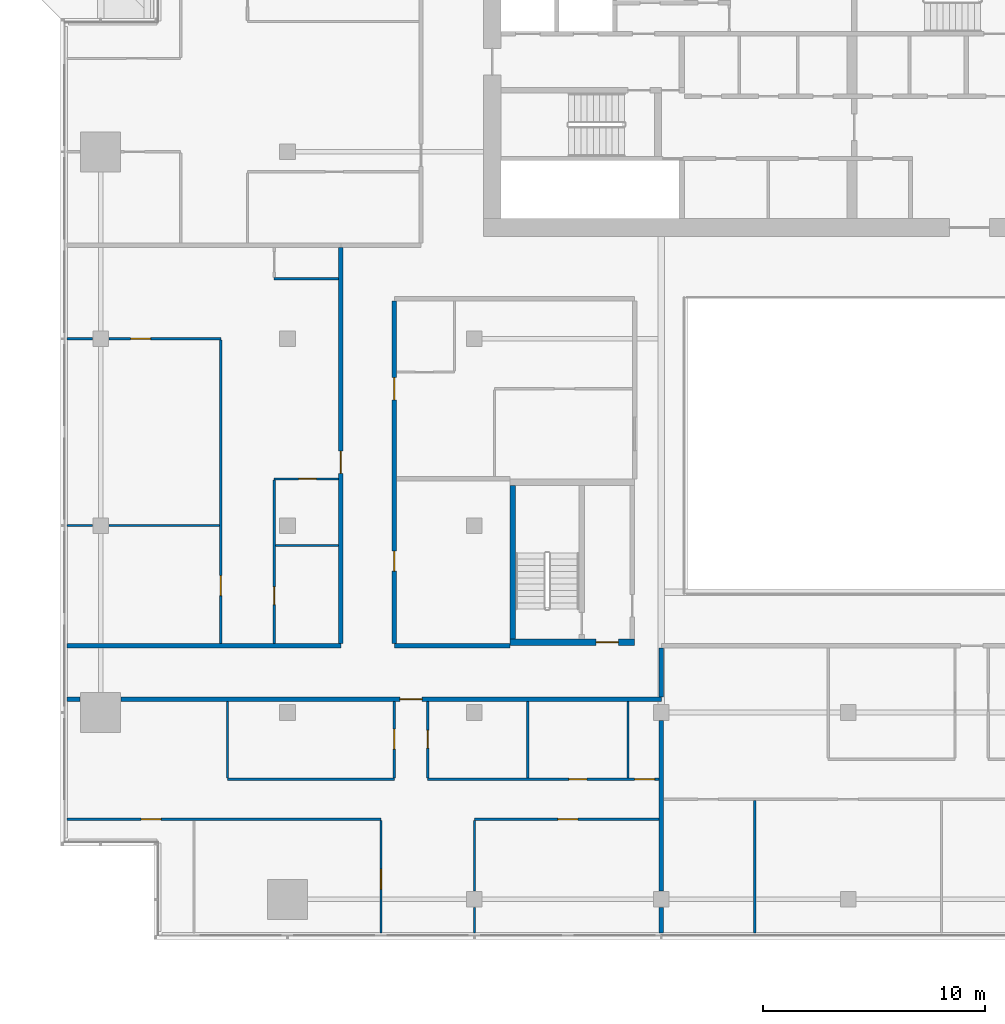
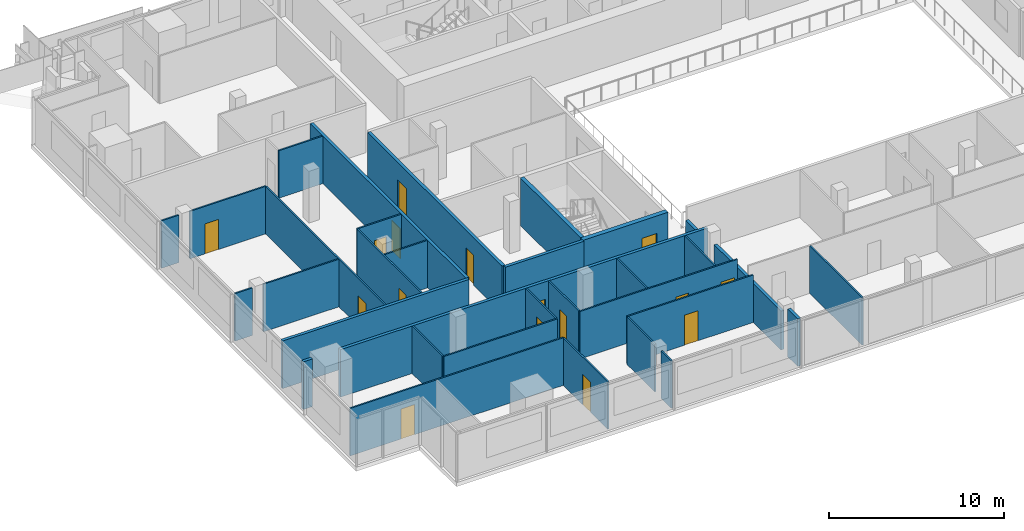
# One storey, part 18 of 30: 33 walls, 16 doors, 16 openings.
"""IFC4 building model written with IfcOpenShell, lengths in metres."""

import ifcopenshell
import ifcopenshell.guid

model = None  # the IFC model being written
_history = None  # IfcOwnerHistory: only IFC2X3 demands one
_inside = {}  # id of a spatial element -> (the spatial element, [elements in it])
_under = {}  # id of a project, library or spatial element -> (it, [spatial elements below it])
_declared = {}  # id of a project -> (the project, [libraries it declares])
_typed = {}  # id of a type object -> (the type object, [elements of that type])
_made_of = {}  # id of a material, layer set ... -> (it, [elements and type objects made of it])


def new_model(schema):
    """Start an empty IFC model of exactly this schema.

    Asked for "IFC4X3", IfcOpenShell would pick the latest addendum, in which some entities
    have other attributes; the version numbers below select the first issue.
    IFC2X3 requires an IfcOwnerHistory on every rooted entity: one is made here for all.
    """
    global model, _history
    if schema == "IFC4X3":
        model = ifcopenshell.file(schema_version=(4, 3, 0, 0))
    else:
        model = ifcopenshell.file(schema=schema)
    _inside.clear()
    _under.clear()
    _declared.clear()
    _typed.clear()
    _made_of.clear()
    _history = None
    if model.schema == "IFC2X3":
        org = make("IfcOrganization", Name="unknown")
        user = make(
            "IfcPersonAndOrganization",
            ThePerson=make("IfcPerson", FamilyName="unknown"),
            TheOrganization=org,
        )
        app = make(
            "IfcApplication",
            ApplicationDeveloper=org,
            Version="unknown",
            ApplicationFullName="unknown",
            ApplicationIdentifier="unknown",
        )
        _history = make(
            "IfcOwnerHistory",
            OwningUser=user,
            OwningApplication=app,
            ChangeAction="ADDED",
            CreationDate=0,
        )
    return model


def make(cls, **values):
    """One entity of the class cls with the attributes given. An attribute that is None is left unset."""
    return model.create_entity(
        cls, **{name: value for name, value in values.items() if value is not None}
    )


def rooted(cls, **values):
    """An entity with a GlobalId (a new one), such as an element, a storey or a relation."""
    return make(cls, GlobalId=ifcopenshell.guid.new(), OwnerHistory=_history, **values)


def si_unit(unit_type, name, prefix=None):
    """IfcSIUnit, for example si_unit("LENGTHUNIT", "METRE", prefix="MILLI")."""
    return make("IfcSIUnit", UnitType=unit_type, Prefix=prefix, Name=name)


def assignment(units):
    """IfcUnitAssignment: the units of a project."""
    return None if units is None else make("IfcUnitAssignment", Units=units)


def point(xyz):
    """IfcCartesianPoint."""
    return None if xyz is None else make("IfcCartesianPoint", Coordinates=xyz)


def direction(xyz):
    """IfcDirection."""
    return None if xyz is None else make("IfcDirection", DirectionRatios=xyz)


def frame(location, z_axis=None, x_axis=None):
    """IfcAxis2Placement3D, a coordinate frame: its origin and axes. An axis left out is left unset."""
    return make(
        "IfcAxis2Placement3D",
        Location=point(location),
        Axis=direction(z_axis),
        RefDirection=direction(x_axis),
    )


def frame_2d(location, x_axis=None):
    """IfcAxis2Placement2D, a coordinate frame in the plane: its origin and x axis."""
    return make(
        "IfcAxis2Placement2D", Location=point(location), RefDirection=direction(x_axis)
    )


def origin():
    """The frame at (0, 0, 0) with its axes left unset."""
    return frame((0.0, 0.0, 0.0))


def place(relative_to, where):
    """IfcLocalPlacement: puts the frame where relative to a parent placement (None: the world)."""
    return make(
        "IfcLocalPlacement", PlacementRelTo=relative_to, RelativePlacement=where
    )


def context(
    kind, dimensions, precision=None, world=None, true_north=None, identifier=None
):
    """IfcGeometricRepresentationContext, for example the 3D "Model" context."""
    return make(
        "IfcGeometricRepresentationContext",
        ContextIdentifier=identifier,
        ContextType=kind,
        CoordinateSpaceDimension=dimensions,
        Precision=precision,
        WorldCoordinateSystem=world,
        TrueNorth=true_north,
    )


def subcontext(parent, identifier, kind, view, scale=None):
    """IfcGeometricRepresentationSubContext, for example "Body" below "Model"."""
    return make(
        "IfcGeometricRepresentationSubContext",
        ContextIdentifier=identifier,
        ContextType=kind,
        ParentContext=parent,
        TargetScale=scale,
        TargetView=view,
    )


def project(units=None, contexts=None):
    """IfcProject with its units and contexts."""
    return rooted(
        "IfcProject",
        Name="project",
        RepresentationContexts=contexts,
        UnitsInContext=assignment(units),
    )


def spatial(cls, under=None, at=None, **own):
    """A site, building, storey or space (cls), placed at a placement, below another one or the project."""
    s = rooted(cls, ObjectPlacement=at, **own)
    if under is not None:
        _under.setdefault(under.id(), (under, []))[1].append(s)
    return s


def profile(cls, at=None, kind="AREA", **sizes):
    """A parametric profile (cls). Its sizes go by their IFC names, for example OverallWidth=200.0."""
    return make(cls, ProfileType=kind, Position=at, **sizes)


def rectangle(**sizes):
    """IfcRectangleProfileDef."""
    return profile("IfcRectangleProfileDef", **sizes)


def extrude(swept, where, along, depth):
    """IfcExtrudedAreaSolid: the profile swept, set in the frame where, extruded along a direction by depth."""
    return make(
        "IfcExtrudedAreaSolid",
        SweptArea=swept,
        Position=where,
        ExtrudedDirection=direction(along),
        Depth=depth,
    )


def shape(context_of_items, identifier, shape_type, items):
    """IfcShapeRepresentation: the items that make up one representation, for example the "Body"."""
    return make(
        "IfcShapeRepresentation",
        ContextOfItems=context_of_items,
        RepresentationIdentifier=identifier,
        RepresentationType=shape_type,
        Items=items,
    )


def material(Name=None, Category=None):
    """IfcMaterial."""
    return make("IfcMaterial", Name=Name, Category=Category)


def layer(
    of_material, thickness, ventilated=None, Name=None, Category=None, Priority=None
):
    """IfcMaterialLayer: one layer of a wall or slab, of a material (None: an air gap)."""
    return make(
        "IfcMaterialLayer",
        Material=of_material,
        LayerThickness=thickness,
        IsVentilated=ventilated,
        Name=Name,
        Category=Category,
        Priority=Priority,
    )


def layer_set(layers, Name=None):
    """IfcMaterialLayerSet."""
    return make("IfcMaterialLayerSet", MaterialLayers=layers, LayerSetName=Name)


def made_of(thing, what):
    """Note that an element or type object is made of a material, layer set ...; save() writes the relation."""
    if what is not None:
        _made_of.setdefault(what.id(), (what, []))[1].append(thing)
    return thing


def type_object(cls, material=None, **own):
    """A type object (cls), such as IfcWallType, which elements share."""
    return made_of(rooted(cls, **own), material)


def element(
    cls,
    number,
    at=None,
    inside=None,
    cuts=None,
    type_object=None,
    material=None,
    context=None,
    identifier="Body",
    shape_type=None,
    held_by="IfcProductDefinitionShape",
    body=None,
    shapes=None,
    **own,
):
    """One element of the class cls, such as IfcWall. Its Tag is "e" and its number.

    at: its placement. inside: the storey or other place that contains it. cuts: it is an
    opening in that element (IfcRelVoidsElement). A single representation is given by context,
    identifier, shape_type and body (its items); several are given by shapes. held_by: the class
    of the entity that holds the representations. save() writes the other relations.
    """
    e = rooted(cls, Tag="e%d" % number, ObjectPlacement=at, **own)
    if body is not None:
        shapes = [shape(context, identifier, shape_type, body)]
    if shapes is not None:
        e.Representation = make(held_by, Representations=shapes)
    if inside is not None:
        _inside.setdefault(inside.id(), (inside, []))[1].append(e)
    if cuts is not None:
        rooted(
            "IfcRelVoidsElement", RelatingBuildingElement=cuts, RelatedOpeningElement=e
        )
    if type_object is not None:
        _typed.setdefault(type_object.id(), (type_object, []))[1].append(e)
    return made_of(e, material)


def fill(opening, filler):
    """IfcRelFillsElement: the door or window that sits in an opening."""
    return rooted(
        "IfcRelFillsElement",
        RelatingOpeningElement=opening,
        RelatedBuildingElement=filler,
    )


def aggregate(whole, parts):
    """IfcRelAggregates: a whole, such as a stair, and the parts it consists of."""
    return rooted("IfcRelAggregates", RelatingObject=whole, RelatedObjects=parts)


def save(model, path):
    """Write the relations noted so far, then the file.

    IfcRelAggregates (storeys below a building ...), IfcRelContainedInSpatialStructure (elements
    in a storey), IfcRelDefinesByType, IfcRelAssociatesMaterial and IfcRelDeclares: one each for
    every whole, place, type object, material and project.
    """
    for whole, parts in _under.values():
        aggregate(whole, parts)
    for where, things in _inside.values():
        rooted(
            "IfcRelContainedInSpatialStructure",
            RelatedElements=things,
            RelatingStructure=where,
        )
    for kind, things in _typed.values():
        rooted("IfcRelDefinesByType", RelatedObjects=things, RelatingType=kind)
    for what, things in _made_of.values():
        rooted("IfcRelAssociatesMaterial", RelatedObjects=things, RelatingMaterial=what)
    for by, libraries in _declared.values():
        rooted("IfcRelDeclares", RelatingContext=by, RelatedDefinitions=libraries)
    model.write(path)


model = new_model("IFC4")

# Units and contexts
model_context = context("Model", 3, precision=1e-05, world=origin(), true_north=direction((0.0, 1.0)))
body_context = subcontext(model_context, "Body", "Model", "MODEL_VIEW")
ifc_project = project(units=[si_unit("LENGTHUNIT", "METRE"), si_unit("AREAUNIT", "SQUARE_METRE"), si_unit("VOLUMEUNIT", "CUBIC_METRE"), si_unit("PLANEANGLEUNIT", "RADIAN"), si_unit("MASSUNIT", "GRAM", prefix="KILO")], contexts=[model_context])

# Site, building, storey
site_placement = place(None, origin())
site = spatial("IfcSite", under=ifc_project, at=site_placement, CompositionType="ELEMENT")
building_placement = place(site_placement, origin())
building = spatial("IfcBuilding", under=site, at=building_placement, Name="Saffron Gate Tower", CompositionType="ELEMENT")
storey_placement = place(building_placement, frame((0.0, 0.0, 179.85009765625)))
storey = spatial("IfcBuildingStorey", under=building, at=storey_placement, Name="L44", CompositionType="ELEMENT", Elevation=179.85009765625)

# Wall
ifc_material_1 = material(Name="Concrete C60", Category="concrete")
ifc_layer_1 = layer(ifc_material_1, 0.25)
ifc_layer_set_1 = layer_set([ifc_layer_1], Name="CW14 RC core wall 250 C60")
wall_type_1 = type_object("IfcWallType", Name="CW14 RC core wall 250 C60", PredefinedType="SOLIDWALL", material=ifc_layer_set_1)
wall_1_placement = place(storey_placement, frame((68.324951171875, 43.5, 0.0), z_axis=(0.0, 0.0, 1.0), x_axis=(0.0, 1.0, 0.0)))
element("IfcWall", 1, at=wall_1_placement, inside=storey, type_object=wall_type_1, Name="Wall CW14-L44-D-2", PredefinedType="SOLIDWALL", context=body_context, shape_type="SweptSolid", body=[
    extrude(rectangle(XDim=6.89990234375, YDim=0.25, at=frame_2d((3.449951171875, 0.0))), origin(), (0.0, 0.0, 1.0), 3.31982421875),
])

# Wall, opening, door
ifc_layer_2 = layer(ifc_material_1, 0.300048828125)
ifc_layer_set_2 = layer_set([ifc_layer_2], Name="CW17 RC core wall 300 C60")
wall_type_2 = type_object("IfcWallType", Name="CW17 RC core wall 300 C60", PredefinedType="SOLIDWALL", material=ifc_layer_set_2)
wall_2_placement = place(storey_placement, frame((68.199951171875, 43.35009765625, 0.0), z_axis=(0.0, 0.0, 1.0), x_axis=(1.0, 0.0, 0.0)))
wall_2 = element("IfcWall", 2, at=wall_2_placement, inside=storey, type_object=wall_type_2, Name="Wall CW17-L44-D-1", PredefinedType="SOLIDWALL", context=body_context, shape_type="SweptSolid", body=[
    extrude(rectangle(XDim=5.60009765625, YDim=0.300048828125, at=frame_2d((2.800048828125, 0.0))), origin(), (0.0, 0.0, 1.0), 3.31982421875),
])
opening_1_placement = place(wall_2_placement, frame((3.875, 0.0, 0.0)))
opening_1 = element("IfcOpeningElement", 3, at=opening_1_placement, cuts=wall_2, Name="Opening CR-18", PredefinedType="OPENING", context=body_context, shape_type="SweptSolid", body=[
    extrude(rectangle(XDim=1.0, YDim=2.10009765625, at=frame_2d((0.5, 1.050048828125))), frame((0.0, 0.16015625, 0.0), z_axis=(0.0, -1.0, 0.0), x_axis=(1.0, 0.0, 0.0)), (0.0, 0.0, 1.0), 0.320068359375),
])
ifc_material_2 = material(Name="Steel fire door set", Category="steel")
door_type_1 = type_object("IfcDoorType", Name="CD4 Lobby door 1000x2100 EI 120", OperationType="NOTDEFINED", PredefinedType="DOOR", material=ifc_material_2)
door_1_placement = place(opening_1_placement, origin())
door_1 = element("IfcDoor", 4, at=door_1_placement, inside=storey, type_object=door_type_1, Name="DOOR CR-18", OperationType="SINGLE_SWING_RIGHT", OverallHeight=2.10009765625, OverallWidth=1.0, PredefinedType="DOOR", context=body_context, shape_type="SweptSolid", body=[
    extrude(rectangle(XDim=1.0, YDim=2.10009765625, at=frame_2d((0.5, 1.050048828125))), frame((0.0, 0.02490234375, 0.0), z_axis=(0.0, -1.0, 0.0), x_axis=(1.0, 0.0, 0.0)), (0.0, 0.0, 1.0), 0.050048828125),
])
fill(opening_1, door_1)

ifc_material_3 = material(Name="Plasterboard on steel studs", Category="steel")
ifc_layer_3 = layer(ifc_material_3, 0.10009765625)
ifc_layer_set_3 = layer_set([ifc_layer_3], Name="PW1 Partition 100")
wall_type_3 = type_object("IfcWallType", Name="PW1 Partition 100", PredefinedType="PARTITIONING", material=ifc_layer_set_3)
wall_3_placement = place(storey_placement, frame((62.39990234375, 35.39990234375, 0.0), z_axis=(0.0, 0.0, 1.0), x_axis=(-1.0, 0.0, 0.0)))
wall_3 = element("IfcWall", 5, at=wall_3_placement, inside=storey, type_object=wall_type_3, Name="Partition C4-3", PredefinedType="PARTITIONING", context=body_context, shape_type="SweptSolid", body=[
    extrude(rectangle(XDim=14.119873046875, YDim=0.10009765625, at=frame_2d((7.06005859375, 0.0))), origin(), (0.0, 0.0, 1.0), 3.31982421875),
])
opening_2_placement = place(wall_3_placement, frame((9.87451171875, 0.0, 0.0)))
opening_2 = element("IfcOpeningElement", 6, at=opening_2_placement, cuts=wall_3, Name="Opening C4-10", PredefinedType="OPENING", context=body_context, shape_type="SweptSolid", body=[
    extrude(rectangle(XDim=0.89990234375, YDim=2.10009765625, at=frame_2d((0.449951171875, 1.050048828125))), frame((0.0, 0.06005859375, 0.0), z_axis=(0.0, -1.0, 0.0), x_axis=(1.0, 0.0, 0.0)), (0.0, 0.0, 1.0), 0.1201171875),
])
ifc_material_4 = material(Name="Timber door set", Category="wood")
door_type_2 = type_object("IfcDoorType", Name="RD1 Room door 900x2100", OperationType="NOTDEFINED", PredefinedType="DOOR", material=ifc_material_4)
door_2_placement = place(opening_2_placement, origin())
door_2 = element("IfcDoor", 7, at=door_2_placement, inside=storey, type_object=door_type_2, Name="Door C4-10", OperationType="SINGLE_SWING_LEFT", OverallHeight=2.10009765625, OverallWidth=0.89990234375, PredefinedType="DOOR", context=body_context, shape_type="SweptSolid", body=[
    extrude(rectangle(XDim=0.89990234375, YDim=2.10009765625, at=frame_2d((0.449951171875, 1.050048828125))), frame((0.0, 0.02490234375, 0.0), z_axis=(0.0, -1.0, 0.0), x_axis=(1.0, 0.0, 0.0)), (0.0, 0.0, 1.0), 0.050048828125),
])
fill(opening_2, door_2)

wall_4_placement = place(storey_placement, frame((74.89990234375, 35.39990234375, 0.0), z_axis=(0.0, 0.0, 1.0), x_axis=(-1.0, 0.0, 0.0)))
wall_4 = element("IfcWall", 8, at=wall_4_placement, inside=storey, type_object=wall_type_3, Name="Partition C4-4", PredefinedType="PARTITIONING", context=body_context, shape_type="SweptSolid", body=[
    extrude(rectangle(XDim=8.2998046875, YDim=0.10009765625, at=frame_2d((4.14990234375, 0.0))), origin(), (0.0, 0.0, 1.0), 3.31982421875),
])
opening_3_placement = place(wall_4_placement, frame((3.64990234375, 0.0, 0.0)))
opening_3 = element("IfcOpeningElement", 9, at=opening_3_placement, cuts=wall_4, Name="Opening C4-12", PredefinedType="OPENING", context=body_context, shape_type="SweptSolid", body=[
    extrude(rectangle(XDim=0.89990234375, YDim=2.10009765625, at=frame_2d((0.449951171875, 1.050048828125))), frame((0.0, 0.06005859375, 0.0), z_axis=(0.0, -1.0, 0.0), x_axis=(1.0, 0.0, 0.0)), (0.0, 0.0, 1.0), 0.1201171875),
])
door_3_placement = place(opening_3_placement, origin())
door_3 = element("IfcDoor", 10, at=door_3_placement, inside=storey, type_object=door_type_2, Name="Door C4-12", OperationType="SINGLE_SWING_LEFT", OverallHeight=2.10009765625, OverallWidth=0.89990234375, PredefinedType="DOOR", context=body_context, shape_type="SweptSolid", body=[
    extrude(rectangle(XDim=0.89990234375, YDim=2.10009765625, at=frame_2d((0.449951171875, 1.050048828125))), frame((0.0, 0.02490234375, 0.0), z_axis=(0.0, -1.0, 0.0), x_axis=(1.0, 0.0, 0.0)), (0.0, 0.0, 1.0), 0.050048828125),
])
fill(opening_3, door_3)

# Wall
wall_5_placement = place(storey_placement, frame((55.5, 37.199951171875, 0.0), z_axis=(0.0, 0.0, 1.0), x_axis=(1.0, 0.0, 0.0)))
element("IfcWall", 11, at=wall_5_placement, inside=storey, type_object=wall_type_3, Name="Partition C4-8", PredefinedType="PARTITIONING", context=body_context, shape_type="SweptSolid", body=[
    extrude(rectangle(XDim=7.5, YDim=0.10009765625, at=frame_2d((3.75, 0.0))), origin(), (0.0, 0.0, 1.0), 3.31982421875),
])

# Wall, openings, doors
wall_6_placement = place(storey_placement, frame((64.5, 37.199951171875, 0.0), z_axis=(0.0, 0.0, 1.0), x_axis=(1.0, 0.0, 0.0)))
wall_6 = element("IfcWall", 12, at=wall_6_placement, inside=storey, type_object=wall_type_3, Name="Partition C4-9", PredefinedType="PARTITIONING", context=body_context, shape_type="SweptSolid", body=[
    extrude(rectangle(XDim=10.39990234375, YDim=0.10009765625, at=frame_2d((5.199951171875, 0.0))), origin(), (0.0, 0.0, 1.0), 3.31982421875),
])
opening_4_placement = place(wall_6_placement, frame((6.35009765625, 0.0, 0.0)))
opening_4 = element("IfcOpeningElement", 13, at=opening_4_placement, cuts=wall_6, Name="Opening C4-41", PredefinedType="OPENING", context=body_context, shape_type="SweptSolid", body=[
    extrude(rectangle(XDim=0.800048828125, YDim=2.10009765625, at=frame_2d((0.39990234375, 1.050048828125))), frame((0.0, 0.06005859375, 0.0), z_axis=(0.0, -1.0, 0.0), x_axis=(1.0, 0.0, 0.0)), (0.0, 0.0, 1.0), 0.1201171875),
])
opening_5_placement = place(wall_6_placement, frame((9.300048828125, 0.0, 0.0)))
opening_5 = element("IfcOpeningElement", 14, at=opening_5_placement, cuts=wall_6, Name="Opening C4-14", PredefinedType="OPENING", context=body_context, shape_type="SweptSolid", body=[
    extrude(rectangle(XDim=0.89990234375, YDim=2.10009765625, at=frame_2d((0.449951171875, 1.050048828125))), frame((0.0, 0.06005859375, 0.0), z_axis=(0.0, -1.0, 0.0), x_axis=(1.0, 0.0, 0.0)), (0.0, 0.0, 1.0), 0.1201171875),
])
door_4_placement = place(opening_5_placement, origin())
door_4 = element("IfcDoor", 15, at=door_4_placement, inside=storey, type_object=door_type_2, Name="Door C4-14", OperationType="SINGLE_SWING_RIGHT", OverallHeight=2.10009765625, OverallWidth=0.89990234375, PredefinedType="DOOR", context=body_context, shape_type="SweptSolid", body=[
    extrude(rectangle(XDim=0.89990234375, YDim=2.10009765625, at=frame_2d((0.449951171875, 1.050048828125))), frame((0.0, 0.02490234375, 0.0), z_axis=(0.0, -1.0, 0.0), x_axis=(1.0, 0.0, 0.0)), (0.0, 0.0, 1.0), 0.050048828125),
])
fill(opening_5, door_4)
door_type_3 = type_object("IfcDoorType", Name="RD2 Bathroom door 800x2100", OperationType="NOTDEFINED", PredefinedType="DOOR", material=ifc_material_4)
door_5_placement = place(opening_4_placement, origin())
door_5 = element("IfcDoor", 16, at=door_5_placement, inside=storey, type_object=door_type_3, Name="Door C4-41", OperationType="SINGLE_SWING_LEFT", OverallHeight=2.10009765625, OverallWidth=0.800048828125, PredefinedType="DOOR", context=body_context, shape_type="SweptSolid", body=[
    extrude(rectangle(XDim=0.800048828125, YDim=2.10009765625, at=frame_2d((0.39990234375, 1.050048828125))), frame((0.0, 0.02490234375, 0.0), z_axis=(0.0, -1.0, 0.0), x_axis=(1.0, 0.0, 0.0)), (0.0, 0.0, 1.0), 0.050048828125),
])
fill(opening_4, door_5)

# Walls
wall_7_placement = place(storey_placement, frame((57.64990234375, 47.699951171875, 0.0), z_axis=(0.0, 0.0, 1.0), x_axis=(1.0, 0.0, 0.0)))
element("IfcWall", 17, at=wall_7_placement, inside=storey, type_object=wall_type_3, Name="Partition C4-21", PredefinedType="PARTITIONING", context=body_context, shape_type="SweptSolid", body=[
    extrude(rectangle(XDim=2.85009765625, YDim=0.10009765625, at=frame_2d((1.425048828125, 0.0))), origin(), (0.0, 0.0, 1.0), 3.31982421875),
])
wall_8_placement = place(storey_placement, frame((48.280029296875, 48.60009765625, 0.0), z_axis=(0.0, 0.0, 1.0), x_axis=(1.0, 0.0, 0.0)))
element("IfcWall", 18, at=wall_8_placement, inside=storey, type_object=wall_type_3, Name="Partition C4-22", PredefinedType="PARTITIONING", context=body_context, shape_type="SweptSolid", body=[
    extrude(rectangle(XDim=1.14990234375, YDim=0.10009765625, at=frame_2d((0.574951171875, 0.0))), origin(), (0.0, 0.0, 1.0), 3.31982421875),
])
wall_9_placement = place(storey_placement, frame((50.169921875, 48.60009765625, 0.0), z_axis=(0.0, 0.0, 1.0), x_axis=(1.0, 0.0, 0.0)))
element("IfcWall", 19, at=wall_9_placement, inside=storey, type_object=wall_type_3, Name="Partition C4-23", PredefinedType="PARTITIONING", context=body_context, shape_type="SweptSolid", body=[
    extrude(rectangle(XDim=4.97998046875, YDim=0.10009765625, at=frame_2d((2.489990234375, 0.0))), origin(), (0.0, 0.0, 1.0), 3.31982421875),
])

# Wall, opening, door
wall_10_placement = place(storey_placement, frame((60.5, 50.699951171875, 0.0), z_axis=(0.0, 0.0, 1.0), x_axis=(-1.0, 0.0, 0.0)))
wall_10 = element("IfcWall", 20, at=wall_10_placement, inside=storey, type_object=wall_type_3, Name="Partition C4-29", PredefinedType="PARTITIONING", context=body_context, shape_type="SweptSolid", body=[
    extrude(rectangle(XDim=2.89990234375, YDim=0.10009765625, at=frame_2d((1.449951171875, 0.0))), origin(), (0.0, 0.0, 1.0), 3.31982421875),
])
opening_6_placement = place(wall_10_placement, frame((1.0, 0.0, 0.0)))
opening_6 = element("IfcOpeningElement", 21, at=opening_6_placement, cuts=wall_10, Name="Opening C4-47", PredefinedType="OPENING", context=body_context, shape_type="SweptSolid", body=[
    extrude(rectangle(XDim=0.800048828125, YDim=2.10009765625, at=frame_2d((0.39990234375, 1.050048828125))), frame((0.0, 0.06005859375, 0.0), z_axis=(0.0, -1.0, 0.0), x_axis=(1.0, 0.0, 0.0)), (0.0, 0.0, 1.0), 0.1201171875),
])
door_6_placement = place(opening_6_placement, origin())
door_6 = element("IfcDoor", 22, at=door_6_placement, inside=storey, type_object=door_type_3, Name="Door C4-47", OperationType="SINGLE_SWING_LEFT", OverallHeight=2.10009765625, OverallWidth=0.800048828125, PredefinedType="DOOR", context=body_context, shape_type="SweptSolid", body=[
    extrude(rectangle(XDim=0.800048828125, YDim=2.10009765625, at=frame_2d((0.39990234375, 1.050048828125))), frame((0.0, 0.02490234375, 0.0), z_axis=(0.0, -1.0, 0.0), x_axis=(1.0, 0.0, 0.0)), (0.0, 0.0, 1.0), 0.050048828125),
])
fill(opening_6, door_6)

# Wall
wall_11_placement = place(storey_placement, frame((48.280029296875, 57.0, 0.0), z_axis=(0.0, 0.0, 1.0), x_axis=(1.0, 0.0, 0.0)))
element("IfcWall", 23, at=wall_11_placement, inside=storey, type_object=wall_type_3, Name="Partition C4-37", PredefinedType="PARTITIONING", context=body_context, shape_type="SweptSolid", body=[
    extrude(rectangle(XDim=1.14990234375, YDim=0.10009765625, at=frame_2d((0.574951171875, 0.0))), origin(), (0.0, 0.0, 1.0), 3.31982421875),
])

# Wall, opening, door
wall_12_placement = place(storey_placement, frame((55.199951171875, 57.0, 0.0), z_axis=(0.0, 0.0, 1.0), x_axis=(-1.0, 0.0, 0.0)))
wall_12 = element("IfcWall", 24, at=wall_12_placement, inside=storey, type_object=wall_type_3, Name="Partition C4-38", PredefinedType="PARTITIONING", context=body_context, shape_type="SweptSolid", body=[
    extrude(rectangle(XDim=5.030029296875, YDim=0.10009765625, at=frame_2d((2.51513671875, 0.0))), origin(), (0.0, 0.0, 1.0), 3.31982421875),
])
opening_7_placement = place(wall_12_placement, frame((3.14990234375, 0.0, 0.0)))
opening_7 = element("IfcOpeningElement", 25, at=opening_7_placement, cuts=wall_12, Name="Opening C4-27", PredefinedType="OPENING", context=body_context, shape_type="SweptSolid", body=[
    extrude(rectangle(XDim=0.89990234375, YDim=2.10009765625, at=frame_2d((0.449951171875, 1.050048828125))), frame((0.0, 0.06005859375, 0.0), z_axis=(0.0, -1.0, 0.0), x_axis=(1.0, 0.0, 0.0)), (0.0, 0.0, 1.0), 0.1201171875),
])
door_7_placement = place(opening_7_placement, origin())
door_7 = element("IfcDoor", 26, at=door_7_placement, inside=storey, type_object=door_type_2, Name="Door C4-27", OperationType="SINGLE_SWING_RIGHT", OverallHeight=2.10009765625, OverallWidth=0.89990234375, PredefinedType="DOOR", context=body_context, shape_type="SweptSolid", body=[
    extrude(rectangle(XDim=0.89990234375, YDim=2.10009765625, at=frame_2d((0.449951171875, 1.050048828125))), frame((0.0, 0.02490234375, 0.0), z_axis=(0.0, -1.0, 0.0), x_axis=(1.0, 0.0, 0.0)), (0.0, 0.0, 1.0), 0.050048828125),
])
fill(opening_7, door_7)

# Wall
wall_13_placement = place(storey_placement, frame((57.60009765625, 59.699951171875, 0.0), z_axis=(0.0, 0.0, 1.0), x_axis=(1.0, 0.0, 0.0)))
element("IfcWall", 27, at=wall_13_placement, inside=storey, type_object=wall_type_3, Name="Partition C4-42", PredefinedType="PARTITIONING", context=body_context, shape_type="SweptSolid", body=[
    extrude(rectangle(XDim=2.89990234375, YDim=0.10009765625, at=frame_2d((1.449951171875, 0.0))), origin(), (0.0, 0.0, 1.0), 3.31982421875),
])

# Wall, opening, door
wall_14_placement = place(storey_placement, frame((55.199951171875, 43.300048828125, 0.0), z_axis=(0.0, 0.0, 1.0), x_axis=(0.0, 1.0, 0.0)))
wall_14 = element("IfcWall", 28, at=wall_14_placement, inside=storey, type_object=wall_type_3, Name="Partition C4-60", PredefinedType="PARTITIONING", context=body_context, shape_type="SweptSolid", body=[
    extrude(rectangle(XDim=13.64990234375, YDim=0.10009765625, at=frame_2d((6.824951171875, 0.0))), origin(), (0.0, 0.0, 1.0), 3.31982421875),
])
opening_8_placement = place(wall_14_placement, frame((2.14990234375, 0.0, 0.0)))
opening_8 = element("IfcOpeningElement", 29, at=opening_8_placement, cuts=wall_14, Name="Opening C4-26", PredefinedType="OPENING", context=body_context, shape_type="SweptSolid", body=[
    extrude(rectangle(XDim=0.89990234375, YDim=2.10009765625, at=frame_2d((0.449951171875, 1.050048828125))), frame((0.0, 0.06005859375, 0.0), z_axis=(0.0, -1.0, 0.0), x_axis=(1.0, 0.0, 0.0)), (0.0, 0.0, 1.0), 0.1201171875),
])
door_8_placement = place(opening_8_placement, origin())
door_8 = element("IfcDoor", 30, at=door_8_placement, inside=storey, type_object=door_type_2, Name="Door C4-26", OperationType="SINGLE_SWING_LEFT", OverallHeight=2.10009765625, OverallWidth=0.89990234375, PredefinedType="DOOR", context=body_context, shape_type="SweptSolid", body=[
    extrude(rectangle(XDim=0.89990234375, YDim=2.10009765625, at=frame_2d((0.449951171875, 1.050048828125))), frame((0.0, 0.02490234375, 0.0), z_axis=(0.0, -1.0, 0.0), x_axis=(1.0, 0.0, 0.0)), (0.0, 0.0, 1.0), 0.050048828125),
])
fill(opening_8, door_8)

# Wall
wall_15_placement = place(storey_placement, frame((55.5, 40.699951171875, 0.0), z_axis=(0.0, 0.0, 1.0), x_axis=(0.0, -1.0, 0.0)))
element("IfcWall", 31, at=wall_15_placement, inside=storey, type_object=wall_type_3, Name="Partition C4-61", PredefinedType="PARTITIONING", context=body_context, shape_type="SweptSolid", body=[
    extrude(rectangle(XDim=3.449951171875, YDim=0.10009765625, at=frame_2d((1.72509765625, 0.0))), origin(), (0.0, 0.0, 1.0), 3.31982421875),
])

# Wall, opening, door
wall_16_placement = place(storey_placement, frame((57.60009765625, 50.64990234375, 0.0), z_axis=(0.0, 0.0, 1.0), x_axis=(0.0, -1.0, 0.0)))
wall_16 = element("IfcWall", 32, at=wall_16_placement, inside=storey, type_object=wall_type_3, Name="Partition C4-64", PredefinedType="PARTITIONING", context=body_context, shape_type="SweptSolid", body=[
    extrude(rectangle(XDim=7.349853515625, YDim=0.10009765625, at=frame_2d((3.6748046875, 0.0))), origin(), (0.0, 0.0, 1.0), 3.31982421875),
])
opening_9_placement = place(wall_16_placement, frame((4.800048828125, 0.0, 0.0)))
opening_9 = element("IfcOpeningElement", 33, at=opening_9_placement, cuts=wall_16, Name="Opening C4-46", PredefinedType="OPENING", context=body_context, shape_type="SweptSolid", body=[
    extrude(rectangle(XDim=0.800048828125, YDim=2.10009765625, at=frame_2d((0.39990234375, 1.050048828125))), frame((0.0, 0.06005859375, 0.0), z_axis=(0.0, -1.0, 0.0), x_axis=(1.0, 0.0, 0.0)), (0.0, 0.0, 1.0), 0.1201171875),
])
door_9_placement = place(opening_9_placement, origin())
door_9 = element("IfcDoor", 34, at=door_9_placement, inside=storey, type_object=door_type_3, Name="Door C4-46", OperationType="SINGLE_SWING_RIGHT", OverallHeight=2.10009765625, OverallWidth=0.800048828125, PredefinedType="DOOR", context=body_context, shape_type="SweptSolid", body=[
    extrude(rectangle(XDim=0.800048828125, YDim=2.10009765625, at=frame_2d((0.39990234375, 1.050048828125))), frame((0.0, 0.02490234375, 0.0), z_axis=(0.0, -1.0, 0.0), x_axis=(1.0, 0.0, 0.0)), (0.0, 0.0, 1.0), 0.050048828125),
])
fill(opening_9, door_9)

wall_17_placement = place(storey_placement, frame((62.39990234375, 30.280029296875, 0.0), z_axis=(0.0, 0.0, 1.0), x_axis=(0.0, 1.0, 0.0)))
wall_17 = element("IfcWall", 35, at=wall_17_placement, inside=storey, type_object=wall_type_3, Name="Partition C4-67", PredefinedType="PARTITIONING", context=body_context, shape_type="SweptSolid", body=[
    extrude(rectangle(XDim=5.070068359375, YDim=0.10009765625, at=frame_2d((2.53515625, 0.0))), origin(), (0.0, 0.0, 1.0), 3.31982421875),
])
opening_10_placement = place(wall_17_placement, frame((1.969970703125, 0.0, 0.0)))
opening_10 = element("IfcOpeningElement", 36, at=opening_10_placement, cuts=wall_17, Name="Opening C4-11", PredefinedType="OPENING", context=body_context, shape_type="SweptSolid", body=[
    extrude(rectangle(XDim=0.89990234375, YDim=2.10009765625, at=frame_2d((0.449951171875, 1.050048828125))), frame((0.0, 0.06005859375, 0.0), z_axis=(0.0, -1.0, 0.0), x_axis=(1.0, 0.0, 0.0)), (0.0, 0.0, 1.0), 0.1201171875),
])
door_10_placement = place(opening_10_placement, origin())
door_10 = element("IfcDoor", 37, at=door_10_placement, inside=storey, type_object=door_type_2, Name="Door C4-11", OperationType="SINGLE_SWING_LEFT", OverallHeight=2.10009765625, OverallWidth=0.89990234375, PredefinedType="DOOR", context=body_context, shape_type="SweptSolid", body=[
    extrude(rectangle(XDim=0.89990234375, YDim=2.10009765625, at=frame_2d((0.449951171875, 1.050048828125))), frame((0.0, 0.02490234375, 0.0), z_axis=(0.0, -1.0, 0.0), x_axis=(1.0, 0.0, 0.0)), (0.0, 0.0, 1.0), 0.050048828125),
])
fill(opening_10, door_10)

wall_18_placement = place(storey_placement, frame((63.0, 37.25, 0.0), z_axis=(0.0, 0.0, 1.0), x_axis=(0.0, 1.0, 0.0)))
wall_18 = element("IfcWall", 38, at=wall_18_placement, inside=storey, type_object=wall_type_3, Name="Partition C4-69", PredefinedType="PARTITIONING", context=body_context, shape_type="SweptSolid", body=[
    extrude(rectangle(XDim=3.449951171875, YDim=0.10009765625, at=frame_2d((1.72509765625, 0.0))), origin(), (0.0, 0.0, 1.0), 3.31982421875),
])
opening_11_placement = place(wall_18_placement, frame((1.300048828125, 0.0, 0.0)))
opening_11 = element("IfcOpeningElement", 39, at=opening_11_placement, cuts=wall_18, Name="Opening C4-13", PredefinedType="OPENING", context=body_context, shape_type="SweptSolid", body=[
    extrude(rectangle(XDim=0.89990234375, YDim=2.10009765625, at=frame_2d((0.449951171875, 1.050048828125))), frame((0.0, 0.06005859375, 0.0), z_axis=(0.0, -1.0, 0.0), x_axis=(1.0, 0.0, 0.0)), (0.0, 0.0, 1.0), 0.1201171875),
])
door_11_placement = place(opening_11_placement, origin())
door_11 = element("IfcDoor", 40, at=door_11_placement, inside=storey, type_object=door_type_2, Name="Door C4-13", OperationType="SINGLE_SWING_RIGHT", OverallHeight=2.10009765625, OverallWidth=0.89990234375, PredefinedType="DOOR", context=body_context, shape_type="SweptSolid", body=[
    extrude(rectangle(XDim=0.89990234375, YDim=2.10009765625, at=frame_2d((0.449951171875, 1.050048828125))), frame((0.0, 0.02490234375, 0.0), z_axis=(0.0, -1.0, 0.0), x_axis=(1.0, 0.0, 0.0)), (0.0, 0.0, 1.0), 0.050048828125),
])
fill(opening_11, door_11)

wall_19_placement = place(storey_placement, frame((64.5, 40.699951171875, 0.0), z_axis=(0.0, 0.0, 1.0), x_axis=(0.0, -1.0, 0.0)))
wall_19 = element("IfcWall", 41, at=wall_19_placement, inside=storey, type_object=wall_type_3, Name="Partition C4-71", PredefinedType="PARTITIONING", context=body_context, shape_type="SweptSolid", body=[
    extrude(rectangle(XDim=3.449951171875, YDim=0.10009765625, at=frame_2d((1.72509765625, 0.0))), origin(), (0.0, 0.0, 1.0), 3.31982421875),
])
opening_12_placement = place(wall_19_placement, frame((1.300048828125, 0.0, 0.0)))
opening_12 = element("IfcOpeningElement", 42, at=opening_12_placement, cuts=wall_19, Name="Opening C4-40", PredefinedType="OPENING", context=body_context, shape_type="SweptSolid", body=[
    extrude(rectangle(XDim=0.800048828125, YDim=2.10009765625, at=frame_2d((0.39990234375, 1.050048828125))), frame((0.0, 0.06005859375, 0.0), z_axis=(0.0, -1.0, 0.0), x_axis=(1.0, 0.0, 0.0)), (0.0, 0.0, 1.0), 0.1201171875),
])
door_12_placement = place(opening_12_placement, origin())
door_12 = element("IfcDoor", 43, at=door_12_placement, inside=storey, type_object=door_type_3, Name="Door C4-40", OperationType="SINGLE_SWING_LEFT", OverallHeight=2.10009765625, OverallWidth=0.800048828125, PredefinedType="DOOR", context=body_context, shape_type="SweptSolid", body=[
    extrude(rectangle(XDim=0.800048828125, YDim=2.10009765625, at=frame_2d((0.39990234375, 1.050048828125))), frame((0.0, 0.02490234375, 0.0), z_axis=(0.0, -1.0, 0.0), x_axis=(1.0, 0.0, 0.0)), (0.0, 0.0, 1.0), 0.050048828125),
])
fill(opening_12, door_12)

# Walls
wall_20_placement = place(storey_placement, frame((66.60009765625, 31.429931640625, 0.0), z_axis=(0.0, 0.0, 1.0), x_axis=(0.0, -1.0, 0.0)))
element("IfcWall", 44, at=wall_20_placement, inside=storey, type_object=wall_type_3, Name="Partition C4-73", PredefinedType="PARTITIONING", context=body_context, shape_type="SweptSolid", body=[
    extrude(rectangle(XDim=1.14990234375, YDim=0.10009765625, at=frame_2d((0.574951171875, 0.0))), origin(), (0.0, 0.0, 1.0), 3.31982421875),
])
wall_21_placement = place(storey_placement, frame((66.60009765625, 35.35009765625, 0.0), z_axis=(0.0, 0.0, 1.0), x_axis=(0.0, -1.0, 0.0)))
element("IfcWall", 45, at=wall_21_placement, inside=storey, type_object=wall_type_3, Name="Partition C4-74", PredefinedType="PARTITIONING", context=body_context, shape_type="SweptSolid", body=[
    extrude(rectangle(XDim=3.18017578125, YDim=0.10009765625, at=frame_2d((1.590087890625, 0.0))), origin(), (0.0, 0.0, 1.0), 3.31982421875),
])
for number, where, z_axis, x_axis, name in (
    (46, (69.0, 40.699951171875, 0.0), (0.0, 0.0, 1.0), (0.0, -1.0, 0.0), "Partition C4-76"),
    (47, (73.5, 40.699951171875, 0.0), (0.0, 0.0, 1.0), (0.0, -1.0, 0.0), "Partition C4-77"),
):
    element("IfcWall", number, at=place(storey_placement, frame(where, z_axis=z_axis, x_axis=x_axis)), inside=storey, type_object=wall_type_3, Name=name, PredefinedType="PARTITIONING", context=body_context, shape_type="SweptSolid", body=[
        extrude(rectangle(XDim=3.449951171875, YDim=0.10009765625, at=frame_2d((1.72509765625, 0.0))), origin(), (0.0, 0.0, 1.0), 3.31982421875),
    ])
wall_22_placement = place(storey_placement, frame((79.199951171875, 36.25, 0.0), z_axis=(0.0, 0.0, 1.0), x_axis=(0.0, -1.0, 0.0)))
element("IfcWall", 48, at=wall_22_placement, inside=storey, type_object=wall_type_3, Name="Partition C4-82", PredefinedType="PARTITIONING", context=body_context, shape_type="SweptSolid", body=[
    extrude(rectangle(XDim=5.969970703125, YDim=0.10009765625, at=frame_2d((2.98486328125, 0.0))), origin(), (0.0, 0.0, 1.0), 3.31982421875),
])
ifc_material_5 = material(Name="Clay brick masonry, rendered", Category="masonry")
ifc_layer_4 = layer(ifc_material_5, 0.199951171875)
ifc_layer_set_4 = layer_set([ifc_layer_4], Name="PW2 Demising wall 200")
wall_type_4 = type_object("IfcWallType", Name="PW2 Demising wall 200", PredefinedType="PARTITIONING", material=ifc_layer_set_4)
wall_23_placement = place(storey_placement, frame((75.0, 31.429931640625, 0.0), z_axis=(0.0, 0.0, 1.0), x_axis=(0.0, -1.0, 0.0)))
element("IfcWall", 49, at=wall_23_placement, inside=storey, type_object=wall_type_4, Name="Wall C4-80", PredefinedType="PARTITIONING", context=body_context, shape_type="SweptSolid", body=[
    extrude(rectangle(XDim=1.14990234375, YDim=0.199951171875, at=frame_2d((0.574951171875, 0.0))), origin(), (0.0, 0.0, 1.0), 3.31982421875),
])
wall_24_placement = place(storey_placement, frame((75.0, 39.830078125, 0.0), z_axis=(0.0, 0.0, 1.0), x_axis=(0.0, -1.0, 0.0)))
element("IfcWall", 50, at=wall_24_placement, inside=storey, type_object=wall_type_4, Name="Wall C4-81", PredefinedType="PARTITIONING", context=body_context, shape_type="SweptSolid", body=[
    extrude(rectangle(XDim=7.66015625, YDim=0.199951171875, at=frame_2d((3.830078125, 0.0))), origin(), (0.0, 0.0, 1.0), 2.719970703125),
])
ifc_layer_5 = layer(ifc_material_5, 0.199951171875)
ifc_layer_set_5 = layer_set([ifc_layer_5], Name="PW3 Corridor wall 200")
wall_type_5 = type_object("IfcWallType", Name="PW3 Corridor wall 200", PredefinedType="PARTITIONING", material=ifc_layer_set_5)
wall_25_placement = place(storey_placement, frame((48.280029296875, 40.800048828125, 0.0), z_axis=(0.0, 0.0, 1.0), x_axis=(1.0, 0.0, 0.0)))
element("IfcWall", 51, at=wall_25_placement, inside=storey, type_object=wall_type_5, Name="Wall C4-12", PredefinedType="PARTITIONING", context=body_context, shape_type="SweptSolid", body=[
    extrude(rectangle(XDim=0.599853515625, YDim=0.199951171875, at=frame_2d((0.2998046875, 0.0))), origin(), (0.0, 0.0, 1.0), 3.31982421875),
])

# Wall, opening, door
wall_26_placement = place(storey_placement, frame((75.0, 40.800048828125, 0.0), z_axis=(0.0, 0.0, 1.0), x_axis=(-1.0, 0.0, 0.0)))
wall_26 = element("IfcWall", 52, at=wall_26_placement, inside=storey, type_object=wall_type_5, Name="Wall C4-13", PredefinedType="PARTITIONING", context=body_context, shape_type="SweptSolid", body=[
    extrude(rectangle(XDim=24.280029296875, YDim=0.199951171875, at=frame_2d((12.14013671875, 0.0))), origin(), (0.0, 0.0, 1.0), 3.31982421875),
])
opening_13_placement = place(wall_26_placement, frame((10.75, 0.0, 0.0)))
opening_13 = element("IfcOpeningElement", 53, at=opening_13_placement, cuts=wall_26, Name="Opening C4-1", PredefinedType="OPENING", context=body_context, shape_type="SweptSolid", body=[
    extrude(rectangle(XDim=1.0, YDim=2.10009765625, at=frame_2d((0.5, 1.050048828125))), frame((0.0, 0.10986328125, 0.0), z_axis=(0.0, -1.0, 0.0), x_axis=(1.0, 0.0, 0.0)), (0.0, 0.0, 1.0), 0.219970703125),
])
ifc_material_6 = material(Name="Timber fire door set", Category="wood")
door_type_4 = type_object("IfcDoorType", Name="FD1 Flat entry door 1000x2100", OperationType="NOTDEFINED", PredefinedType="DOOR", material=ifc_material_6)
door_13_placement = place(opening_13_placement, origin())
door_13 = element("IfcDoor", 54, at=door_13_placement, inside=storey, type_object=door_type_4, Name="Door C4-1", OperationType="SINGLE_SWING_LEFT", OverallHeight=2.10009765625, OverallWidth=1.0, PredefinedType="DOOR", context=body_context, shape_type="SweptSolid", body=[
    extrude(rectangle(XDim=1.0, YDim=2.10009765625, at=frame_2d((0.5, 1.050048828125))), frame((0.0, 0.02490234375, 0.0), z_axis=(0.0, -1.0, 0.0), x_axis=(1.0, 0.0, 0.0)), (0.0, 0.0, 1.0), 0.050048828125),
])
fill(opening_13, door_13)

# Walls
wall_27_placement = place(storey_placement, frame((48.280029296875, 43.199951171875, 0.0), z_axis=(0.0, 0.0, 1.0), x_axis=(1.0, 0.0, 0.0)))
element("IfcWall", 55, at=wall_27_placement, inside=storey, type_object=wall_type_5, Name="Wall C4-16", PredefinedType="PARTITIONING", context=body_context, shape_type="SweptSolid", body=[
    extrude(rectangle(XDim=12.320068359375, YDim=0.199951171875, at=frame_2d((6.16015625, 0.0))), origin(), (0.0, 0.0, 1.0), 3.31982421875),
])
wall_28_placement = place(storey_placement, frame((63.0, 43.199951171875, 0.0), z_axis=(0.0, 0.0, 1.0), x_axis=(1.0, 0.0, 0.0)))
element("IfcWall", 56, at=wall_28_placement, inside=storey, type_object=wall_type_5, Name="Wall C4-17", PredefinedType="PARTITIONING", context=body_context, shape_type="SweptSolid", body=[
    extrude(rectangle(XDim=5.199951171875, YDim=0.199951171875, at=frame_2d((2.60009765625, 0.0))), origin(), (0.0, 0.0, 1.0), 3.31982421875),
])

# Wall, opening, door
wall_29_placement = place(storey_placement, frame((60.60009765625, 43.300048828125, 0.0), z_axis=(0.0, 0.0, 1.0), x_axis=(0.0, 1.0, 0.0)))
wall_29 = element("IfcWall", 57, at=wall_29_placement, inside=storey, type_object=wall_type_5, Name="Wall C4-66", PredefinedType="PARTITIONING", context=body_context, shape_type="SweptSolid", body=[
    extrude(rectangle(XDim=17.800048828125, YDim=0.199951171875, at=frame_2d((8.89990234375, 0.0))), origin(), (0.0, 0.0, 1.0), 3.31982421875),
])
opening_14_placement = place(wall_29_placement, frame((7.64990234375, 0.0, 0.0)))
opening_14 = element("IfcOpeningElement", 58, at=opening_14_placement, cuts=wall_29, Name="Opening C4-4", PredefinedType="OPENING", context=body_context, shape_type="SweptSolid", body=[
    extrude(rectangle(XDim=1.0, YDim=2.10009765625, at=frame_2d((0.5, 1.050048828125))), frame((0.0, 0.10986328125, 0.0), z_axis=(0.0, -1.0, 0.0), x_axis=(1.0, 0.0, 0.0)), (0.0, 0.0, 1.0), 0.219970703125),
])
door_14_placement = place(opening_14_placement, origin())
door_14 = element("IfcDoor", 59, at=door_14_placement, inside=storey, type_object=door_type_4, Name="Door C4-4", OperationType="SINGLE_SWING_RIGHT", OverallHeight=2.10009765625, OverallWidth=1.0, PredefinedType="DOOR", context=body_context, shape_type="SweptSolid", body=[
    extrude(rectangle(XDim=1.0, YDim=2.10009765625, at=frame_2d((0.5, 1.050048828125))), frame((0.0, 0.02490234375, 0.0), z_axis=(0.0, -1.0, 0.0), x_axis=(1.0, 0.0, 0.0)), (0.0, 0.0, 1.0), 0.050048828125),
])
fill(opening_14, door_14)

# Wall, openings, doors
wall_30_placement = place(storey_placement, frame((63.0, 58.699951171875, 0.0), z_axis=(0.0, 0.0, 1.0), x_axis=(0.0, -1.0, 0.0)))
wall_30 = element("IfcWall", 60, at=wall_30_placement, inside=storey, type_object=wall_type_5, Name="Wall C4-68", PredefinedType="PARTITIONING", context=body_context, shape_type="SweptSolid", body=[
    extrude(rectangle(XDim=15.39990234375, YDim=0.199951171875, at=frame_2d((7.699951171875, 0.0))), origin(), (0.0, 0.0, 1.0), 3.31982421875),
])
opening_15_placement = place(wall_30_placement, frame((3.449951171875, 0.0, 0.0)))
opening_15 = element("IfcOpeningElement", 61, at=opening_15_placement, cuts=wall_30, Name="Opening C4-8", PredefinedType="OPENING", context=body_context, shape_type="SweptSolid", body=[
    extrude(rectangle(XDim=1.0, YDim=2.10009765625, at=frame_2d((0.5, 1.050048828125))), frame((0.0, 0.10986328125, 0.0), z_axis=(0.0, -1.0, 0.0), x_axis=(1.0, 0.0, 0.0)), (0.0, 0.0, 1.0), 0.219970703125),
])
opening_16_placement = place(wall_30_placement, frame((11.25, 0.0, 0.0)))
opening_16 = element("IfcOpeningElement", 62, at=opening_16_placement, cuts=wall_30, Name="Opening C4-55", PredefinedType="OPENING", context=body_context, shape_type="SweptSolid", body=[
    extrude(rectangle(XDim=0.89990234375, YDim=2.10009765625, at=frame_2d((0.449951171875, 1.050048828125))), frame((0.0, 0.10986328125, 0.0), z_axis=(0.0, -1.0, 0.0), x_axis=(1.0, 0.0, 0.0)), (0.0, 0.0, 1.0), 0.219970703125),
])
door_15_placement = place(opening_15_placement, origin())
door_15 = element("IfcDoor", 63, at=door_15_placement, inside=storey, type_object=door_type_4, Name="Door C4-8", OperationType="SINGLE_SWING_LEFT", OverallHeight=2.10009765625, OverallWidth=1.0, PredefinedType="DOOR", context=body_context, shape_type="SweptSolid", body=[
    extrude(rectangle(XDim=1.0, YDim=2.10009765625, at=frame_2d((0.5, 1.050048828125))), frame((0.0, 0.02490234375, 0.0), z_axis=(0.0, -1.0, 0.0), x_axis=(1.0, 0.0, 0.0)), (0.0, 0.0, 1.0), 0.050048828125),
])
fill(opening_15, door_15)
door_type_5 = type_object("IfcDoorType", Name="SD1 Service door 900x2100", OperationType="NOTDEFINED", PredefinedType="DOOR", material=ifc_material_2)
door_16_placement = place(opening_16_placement, origin())
door_16 = element("IfcDoor", 64, at=door_16_placement, inside=storey, type_object=door_type_5, Name="Door C4-55", OperationType="SINGLE_SWING_RIGHT", OverallHeight=2.10009765625, OverallWidth=0.89990234375, PredefinedType="DOOR", context=body_context, shape_type="SweptSolid", body=[
    extrude(rectangle(XDim=0.89990234375, YDim=2.10009765625, at=frame_2d((0.449951171875, 1.050048828125))), frame((0.0, 0.02490234375, 0.0), z_axis=(0.0, -1.0, 0.0), x_axis=(1.0, 0.0, 0.0)), (0.0, 0.0, 1.0), 0.050048828125),
])
fill(opening_16, door_16)

# Wall
wall_31_placement = place(storey_placement, frame((75.0, 43.10009765625, 0.0), z_axis=(0.0, 0.0, 1.0), x_axis=(0.0, -1.0, 0.0)))
element("IfcWall", 65, at=wall_31_placement, inside=storey, type_object=wall_type_5, Name="Wall C4-79", PredefinedType="PARTITIONING", context=body_context, shape_type="SweptSolid", body=[
    extrude(rectangle(XDim=2.2001953125, YDim=0.199951171875, at=frame_2d((1.10009765625, 0.0))), origin(), (0.0, 0.0, 1.0), 2.429931640625),
])

save(model, "model.ifc")
